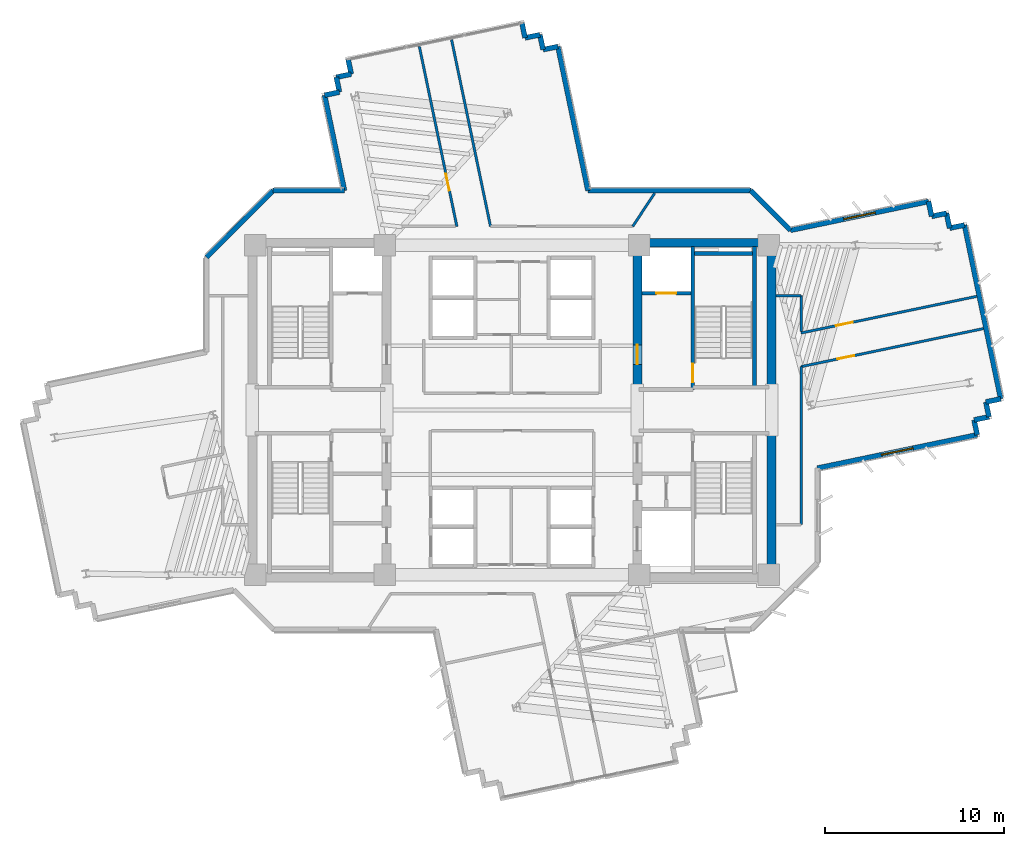
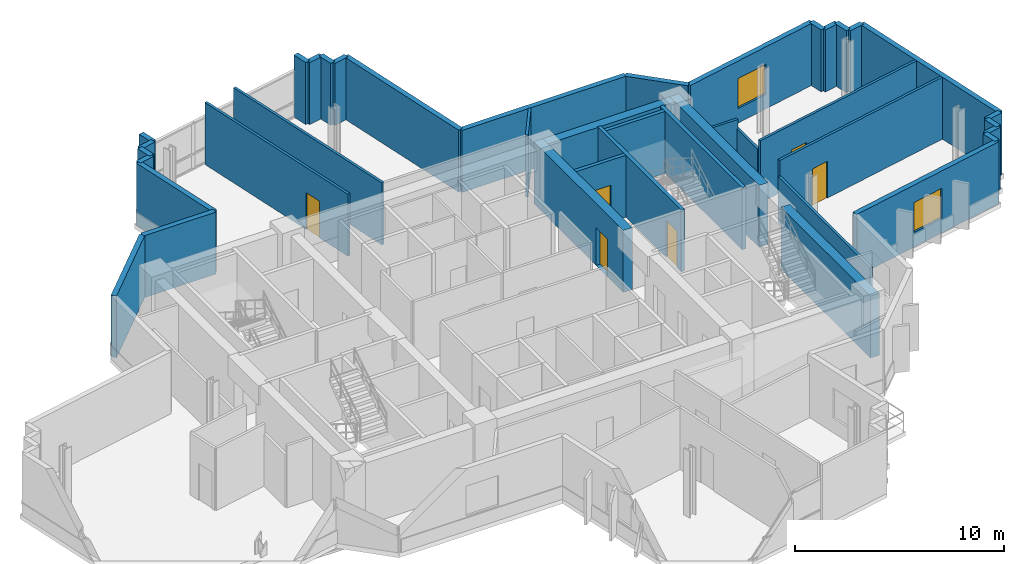
# One storey, part 10 of 14: 41 walls, 6 doors, 2 windows, 8 openings.
"""IFC4 building model written with IfcOpenShell, lengths in metres."""

from ifc_helpers import new_model, si_unit, direction, frame, frame_2d, origin, place, context, subcontext, project, spatial, rectangle, extrude, source, transform, mapped, material, layer, layer_set, type_object, element, fill, save


model = new_model("IFC4")

# Units and contexts
model_context = context("Model", 3, precision=1e-05, world=origin(), true_north=direction((0.0, 1.0)))
body_context = subcontext(model_context, "Body", "Model", "MODEL_VIEW")
ifc_project = project(units=[si_unit("LENGTHUNIT", "METRE"), si_unit("AREAUNIT", "SQUARE_METRE"), si_unit("VOLUMEUNIT", "CUBIC_METRE"), si_unit("PLANEANGLEUNIT", "RADIAN"), si_unit("MASSUNIT", "GRAM", prefix="KILO")], contexts=[model_context])

# Site, building, storey
site_placement = place(None, origin())
site = spatial("IfcSite", under=ifc_project, at=site_placement, CompositionType="ELEMENT")
building_placement = place(site_placement, origin())
building = spatial("IfcBuilding", under=site, at=building_placement, Name="Zahravan Cultural Tower", CompositionType="ELEMENT")
storey_placement = place(building_placement, frame((0.0, 0.0, 162.89990234375)))
storey = spatial("IfcBuildingStorey", under=building, at=storey_placement, Name="L37", CompositionType="ELEMENT", Elevation=162.89990234375)

# Wall, opening, door
ifc_material_1 = material(Name="Concrete C60/75", Category="concrete")
ifc_layer_1 = layer(ifc_material_1, 0.5)
ifc_layer_set_1 = layer_set([ifc_layer_1], Name="Concrete C60/75")
wall_type_1 = type_object("IfcWallType", Name="CW-SHEAR-500-C60", PredefinedType="SHEAR", material=ifc_layer_set_1)
wall_1_placement = place(storey_placement, frame((43.0, 28.050048828125, 0.0), z_axis=(0.0, 0.0, 1.0), x_axis=(0.0, 1.0, 0.0)))
wall_1 = element("IfcWall", 1, at=wall_1_placement, inside=storey, type_object=wall_type_1, Name="L37 Core Shear Wall CW-E-WN-L37", PredefinedType="SHEAR", context=body_context, shape_type="SweptSolid", body=[
    extrude(rectangle(XDim=8.550048828125, YDim=0.5, at=frame_2d((4.27490234375, 0.0))), origin(), (0.0, 0.0, 1.0), 3.6201171875),
])
opening_1_placement = place(wall_1_placement, frame((1.5, 0.0, 0.0)))
opening_1 = element("IfcOpeningElement", 2, at=opening_1_placement, cuts=wall_1, Name="Opening D-L37-06", PredefinedType="OPENING", context=body_context, shape_type="SweptSolid", body=[
    extrude(rectangle(XDim=1.10009765625, YDim=2.199951171875, at=frame_2d((0.550048828125, 1.10009765625))), frame((0.0, 0.260009765625, 0.0), z_axis=(0.0, -1.0, 0.0), x_axis=(1.0, 0.0, 0.0)), (0.0, 0.0, 1.0), 0.52001953125),
])
ifc_material_2 = material(Name="Steel ASTM A572 Grade 50", Category="steel")
door_type_1 = type_object("IfcDoorType", Name="DR-LOBBY-1100", OperationType="NOTDEFINED", PredefinedType="DOOR", material=ifc_material_2)
shared_shape_1 = source(origin(), body_context, "Body", "SweptSolid", [
    extrude(rectangle(XDim=1.10009765625, YDim=2.199951171875, at=frame_2d((0.550048828125, 1.10009765625))), frame((0.0, 0.02490234375, 0.0), z_axis=(0.0, -1.0, 0.0), x_axis=(1.0, 0.0, 0.0)), (0.0, 0.0, 1.0), 0.050048828125),
])
door_1_placement = place(opening_1_placement, origin())
door_1 = element("IfcDoor", 3, at=door_1_placement, inside=storey, type_object=door_type_1, Name="L37 Door D-L37-06", OperationType="SINGLE_SWING_RIGHT", OverallHeight=2.199951171875, OverallWidth=1.10009765625, PredefinedType="DOOR", context=body_context, shape_type="MappedRepresentation", body=[
    mapped(shared_shape_1, transform((0.0, 0.0, 0.0), x_axis=(1.0, 0.0, 0.0), y_axis=(0.0, 1.0, 0.0), z_axis=(0.0, 0.0, 1.0), scale=1.0)),
])
fill(opening_1, door_1)

# Wall, opening, window
ifc_material_3 = material(Name="Precast concrete C40/50", Category="concrete")
ifc_layer_2 = layer(ifc_material_3, 0.280029296875)
ifc_layer_set_2 = layer_set([ifc_layer_2], Name="Precast concrete C40/50")
wall_type_2 = type_object("IfcWallType", Name="EW-TC-280", PredefinedType="SOLIDWALL", material=ifc_layer_set_2)
wall_2_placement = place(storey_placement, frame((51.5546875, 37.047119140625, 0.0), z_axis=(0.0, 0.0, 1.0), x_axis=(0.978938136474, 0.204157108515, 0.0)))
wall_2 = element("IfcWall", 4, at=wall_2_placement, inside=storey, type_object=wall_type_2, Name="L37 Exterior Masonry Frame Wall 01", PredefinedType="SOLIDWALL", context=body_context, shape_type="SweptSolid", body=[
    extrude(rectangle(XDim=7.8818359375, YDim=0.280029296875, at=frame_2d((3.94091796875, 0.0))), origin(), (0.0, 0.0, 1.0), 3.6201171875),
])
opening_2_placement = place(wall_2_placement, frame((3.041015625, 0.0, 0.85009765625)))
opening_2 = element("IfcOpeningElement", 5, at=opening_2_placement, cuts=wall_2, Name="Opening WN-02", PredefinedType="OPENING", context=body_context, shape_type="SweptSolid", body=[
    extrude(rectangle(XDim=1.800048828125, YDim=1.75, at=frame_2d((0.89990234375, 0.875))), frame((0.0, 0.14990234375, 0.0), z_axis=(0.0, -1.0, 0.0), x_axis=(1.0, 0.0, 0.0)), (0.0, 0.0, 1.0), 0.300048828125),
])
ifc_material_4 = material(Name="Low-E solar-control double glazing", Category="glass")
window_type = type_object("IfcWindowType", Name="WN-REC-1800X1750", PartitioningType="DOUBLE_PANEL_VERTICAL", PredefinedType="WINDOW", material=ifc_material_4)
shared_shape_2 = source(origin(), body_context, "Body", "SweptSolid", [
    extrude(rectangle(XDim=1.800048828125, YDim=1.75, at=frame_2d((0.89990234375, 0.875))), frame((0.0, 0.030029296875, 0.0), z_axis=(0.0, -1.0, 0.0), x_axis=(1.0, 0.0, 0.0)), (0.0, 0.0, 1.0), 0.06005859375),
])
window_1_placement = place(opening_2_placement, origin())
window_1 = element("IfcWindow", 6, at=window_1_placement, inside=storey, type_object=window_type, Name="L37 Recessed Solar Window 01", OverallHeight=1.75, OverallWidth=1.800048828125, PartitioningType="DOUBLE_PANEL_VERTICAL", PredefinedType="WINDOW", context=body_context, shape_type="MappedRepresentation", body=[
    mapped(shared_shape_2, transform((0.0, 0.0, 0.0), x_axis=(1.0, 0.0, 0.0), y_axis=(0.0, 1.0, 0.0), z_axis=(0.0, 0.0, 1.0), scale=1.0)),
])
fill(opening_2, window_1)

wall_3_placement = place(storey_placement, frame((61.98974609375, 25.61669921875, 0.0), z_axis=(0.0, 0.0, 1.0), x_axis=(-0.978937646314, -0.204159458828, 0.0)))
wall_3 = element("IfcWall", 7, at=wall_3_placement, inside=storey, type_object=wall_type_2, Name="L37 Exterior Masonry Frame Wall 11", PredefinedType="SOLIDWALL", context=body_context, shape_type="SweptSolid", body=[
    extrude(rectangle(XDim=9.121826171875, YDim=0.280029296875, at=frame_2d((4.56103515625, 0.0))), origin(), (0.0, 0.0, 1.0), 3.6201171875),
])
opening_3_placement = place(wall_3_placement, frame((3.660888671875, 0.0, 0.85009765625)))
opening_3 = element("IfcOpeningElement", 8, at=opening_3_placement, cuts=wall_3, Name="Opening WN-02", PredefinedType="OPENING", context=body_context, shape_type="SweptSolid", body=[
    extrude(rectangle(XDim=1.800048828125, YDim=1.75, at=frame_2d((0.89990234375, 0.875))), frame((0.0, 0.14990234375, 0.0), z_axis=(0.0, -1.0, 0.0), x_axis=(1.0, 0.0, 0.0)), (0.0, 0.0, 1.0), 0.300048828125),
])
window_2_placement = place(opening_3_placement, origin())
window_2 = element("IfcWindow", 9, at=window_2_placement, inside=storey, type_object=window_type, Name="L37 Recessed Solar Window 02", OverallHeight=1.75, OverallWidth=1.800048828125, PartitioningType="DOUBLE_PANEL_VERTICAL", PredefinedType="WINDOW", context=body_context, shape_type="MappedRepresentation", body=[
    mapped(shared_shape_2, transform((0.0, 0.0, 0.0), x_axis=(1.0, 0.0, 0.0), y_axis=(0.0, 1.0, 0.0), z_axis=(0.0, 0.0, 1.0), scale=1.0)),
])
fill(opening_3, window_2)

# Wall, opening, door
ifc_material_5 = material(Name="Gypsum plasterboard partition")
ifc_layer_3 = layer(ifc_material_5, 0.139892578125)
ifc_layer_set_3 = layer_set([ifc_layer_3], Name="Gypsum plasterboard partition")
wall_type_3 = type_object("IfcWallType", Name="W-PART-140", PredefinedType="PARTITIONING", material=ifc_layer_set_3)
wall_4_placement = place(storey_placement, frame((30.823486328125, 47.316162109375, 0.0), z_axis=(0.0, 0.0, 1.0), x_axis=(0.204130779611, -0.978943626985, 0.0)))
wall_4 = element("IfcWall", 10, at=wall_4_placement, inside=storey, type_object=wall_type_3, Name="L37 Interior Wall 091", PredefinedType="PARTITIONING", context=body_context, shape_type="SweptSolid", body=[
    extrude(rectangle(XDim=10.2724609375, YDim=0.139892578125, at=frame_2d((5.13623046875, 0.0))), origin(), (0.0, 0.0, 1.0), 3.6201171875),
])
opening_4_placement = place(wall_4_placement, frame((7.271484375, 0.0, 0.0)))
opening_4 = element("IfcOpeningElement", 11, at=opening_4_placement, cuts=wall_4, Name="Opening D-L37-23", PredefinedType="OPENING", context=body_context, shape_type="SweptSolid", body=[
    extrude(rectangle(XDim=0.949951171875, YDim=2.14990234375, at=frame_2d((0.47509765625, 1.074951171875))), frame((0.0, 0.079833984375, 0.0), z_axis=(0.0, -1.0, 0.0), x_axis=(1.0, 0.0, 0.0)), (0.0, 0.0, 1.0), 0.159912109375),
])
ifc_material_6 = material(Name="Anodised bronze-aluminium mullion", Category="aluminium")
door_type_2 = type_object("IfcDoorType", Name="DR-ROOM-950", OperationType="NOTDEFINED", PredefinedType="DOOR", material=ifc_material_6)
shared_shape_3 = source(origin(), body_context, "Body", "SweptSolid", [
    extrude(rectangle(XDim=0.949951171875, YDim=2.14990234375, at=frame_2d((0.47509765625, 1.074951171875))), frame((0.0, 0.02490234375, 0.0), z_axis=(0.0, -1.0, 0.0), x_axis=(1.0, 0.0, 0.0)), (0.0, 0.0, 1.0), 0.050048828125),
])
door_2_placement = place(opening_4_placement, origin())
door_2 = element("IfcDoor", 12, at=door_2_placement, inside=storey, type_object=door_type_2, Name="L37 Door D-L37-23", OperationType="SINGLE_SWING_LEFT", OverallHeight=2.14990234375, OverallWidth=0.949951171875, PredefinedType="DOOR", context=body_context, shape_type="MappedRepresentation", body=[
    mapped(shared_shape_3, transform((0.0, 0.0, 0.0), x_axis=(1.0, 0.0, 0.0), y_axis=(0.0, 1.0, 0.0), z_axis=(0.0, 0.0, 1.0), scale=1.0)),
])
fill(opening_4, door_2)

wall_5_placement = place(storey_placement, frame((52.150146484375, 29.42822265625, 0.0), z_axis=(0.0, 0.0, 1.0), x_axis=(0.978935516763, 0.204169669688, 0.0)))
wall_5 = element("IfcWall", 13, at=wall_5_placement, inside=storey, type_object=wall_type_3, Name="L37 Interior Wall 095", PredefinedType="PARTITIONING", context=body_context, shape_type="SweptSolid", body=[
    extrude(rectangle(XDim=10.4091796875, YDim=0.139892578125, at=frame_2d((5.20458984375, 0.0))), origin(), (0.0, 0.0, 1.0), 3.6201171875),
])
opening_5_placement = place(wall_5_placement, frame((2.0810546875, 0.0, 0.0)))
opening_5 = element("IfcOpeningElement", 14, at=opening_5_placement, cuts=wall_5, Name="Opening D-L37-20", PredefinedType="OPENING", context=body_context, shape_type="SweptSolid", body=[
    extrude(rectangle(XDim=0.949951171875, YDim=2.14990234375, at=frame_2d((0.47509765625, 1.074951171875))), frame((0.0, 0.079833984375, 0.0), z_axis=(0.0, -1.0, 0.0), x_axis=(1.0, 0.0, 0.0)), (0.0, 0.0, 1.0), 0.159912109375),
])
door_3_placement = place(opening_5_placement, origin())
door_3 = element("IfcDoor", 15, at=door_3_placement, inside=storey, type_object=door_type_2, Name="L37 Door D-L37-20", OperationType="SINGLE_SWING_RIGHT", OverallHeight=2.14990234375, OverallWidth=0.949951171875, PredefinedType="DOOR", context=body_context, shape_type="MappedRepresentation", body=[
    mapped(shared_shape_3, transform((0.0, 0.0, 0.0), x_axis=(1.0, 0.0, 0.0), y_axis=(0.0, 1.0, 0.0), z_axis=(0.0, 0.0, 1.0), scale=1.0)),
])
fill(opening_5, door_3)

wall_6_placement = place(storey_placement, frame((61.964599609375, 33.3544921875, 0.0), z_axis=(0.0, 0.0, 1.0), x_axis=(-0.978942518705, -0.204136094483, 0.0)))
wall_6 = element("IfcWall", 16, at=wall_6_placement, inside=storey, type_object=wall_type_3, Name="L37 Interior Wall 097", PredefinedType="PARTITIONING", context=body_context, shape_type="SweptSolid", body=[
    extrude(rectangle(XDim=10.02587890625, YDim=0.139892578125, at=frame_2d((5.012939453125, 0.0))), origin(), (0.0, 0.0, 1.0), 3.6201171875),
])
opening_6_placement = place(wall_6_placement, frame((7.0791015625, 0.0, 0.0)))
opening_6 = element("IfcOpeningElement", 17, at=opening_6_placement, cuts=wall_6, Name="Opening D-L37-21", PredefinedType="OPENING", context=body_context, shape_type="SweptSolid", body=[
    extrude(rectangle(XDim=0.949951171875, YDim=2.14990234375, at=frame_2d((0.47509765625, 1.074951171875))), frame((0.0, 0.079833984375, 0.0), z_axis=(0.0, -1.0, 0.0), x_axis=(1.0, 0.0, 0.0)), (0.0, 0.0, 1.0), 0.159912109375),
])
door_4_placement = place(opening_6_placement, origin())
door_4 = element("IfcDoor", 18, at=door_4_placement, inside=storey, type_object=door_type_2, Name="L37 Door D-L37-21", OperationType="SINGLE_SWING_LEFT", OverallHeight=2.14990234375, OverallWidth=0.949951171875, PredefinedType="DOOR", context=body_context, shape_type="MappedRepresentation", body=[
    mapped(shared_shape_3, transform((0.0, 0.0, 0.0), x_axis=(1.0, 0.0, 0.0), y_axis=(0.0, 1.0, 0.0), z_axis=(0.0, 0.0, 1.0), scale=1.0)),
])
fill(opening_6, door_4)

ifc_material_7 = material(Name="Concrete C45/55", Category="concrete")
ifc_layer_4 = layer(ifc_material_7, 0.199951171875)
ifc_layer_set_4 = layer_set([ifc_layer_4], Name="Concrete C45/55")
wall_type_4 = type_object("IfcWallType", Name="W-SHAFT-200", PredefinedType="SOLIDWALL", material=ifc_layer_set_4)
wall_7_placement = place(storey_placement, frame((46.10009765625, 28.14990234375, 0.0), z_axis=(0.0, 0.0, 1.0), x_axis=(0.0, 1.0, 0.0)))
wall_7 = element("IfcWall", 19, at=wall_7_placement, inside=storey, type_object=wall_type_4, Name="L37 Interior Wall 008", PredefinedType="SOLIDWALL", context=body_context, shape_type="SweptSolid", body=[
    extrude(rectangle(XDim=8.0, YDim=0.199951171875, at=frame_2d((4.0, 0.0))), origin(), (0.0, 0.0, 1.0), 3.6201171875),
])
opening_7_placement = place(wall_7_placement, frame((0.39990234375, 0.0, 0.0)))
opening_7 = element("IfcOpeningElement", 20, at=opening_7_placement, cuts=wall_7, Name="Opening D-L37-02", PredefinedType="OPENING", context=body_context, shape_type="SweptSolid", body=[
    extrude(rectangle(XDim=1.050048828125, YDim=2.14990234375, at=frame_2d((0.52490234375, 1.074951171875))), frame((0.0, 0.10986328125, 0.0), z_axis=(0.0, -1.0, 0.0), x_axis=(1.0, 0.0, 0.0)), (0.0, 0.0, 1.0), 0.219970703125),
])
door_type_3 = type_object("IfcDoorType", Name="DR-STAIR-1050", OperationType="NOTDEFINED", PredefinedType="DOOR", material=ifc_material_2)
shared_shape_4 = source(origin(), body_context, "Body", "SweptSolid", [
    extrude(rectangle(XDim=1.050048828125, YDim=2.14990234375, at=frame_2d((0.52490234375, 1.074951171875))), frame((0.0, 0.02490234375, 0.0), z_axis=(0.0, -1.0, 0.0), x_axis=(1.0, 0.0, 0.0)), (0.0, 0.0, 1.0), 0.050048828125),
])
door_5_placement = place(opening_7_placement, origin())
door_5 = element("IfcDoor", 21, at=door_5_placement, inside=storey, type_object=door_type_3, Name="L37 Door D-L37-02", OperationType="SINGLE_SWING_RIGHT", OverallHeight=2.14990234375, OverallWidth=1.050048828125, PredefinedType="DOOR", context=body_context, shape_type="MappedRepresentation", body=[
    mapped(shared_shape_4, transform((0.0, 0.0, 0.0), x_axis=(1.0, 0.0, 0.0), y_axis=(0.0, 1.0, 0.0), z_axis=(0.0, 0.0, 1.0), scale=1.0)),
])
fill(opening_7, door_5)

wall_8_placement = place(storey_placement, frame((43.25, 33.52001953125, 0.0), z_axis=(0.0, 0.0, 1.0), x_axis=(1.0, 0.0, 0.0)))
wall_8 = element("IfcWall", 22, at=wall_8_placement, inside=storey, type_object=wall_type_4, Name="L37 Interior Wall 022", PredefinedType="SOLIDWALL", context=body_context, shape_type="SweptSolid", body=[
    extrude(rectangle(XDim=2.75, YDim=0.199951171875, at=frame_2d((1.375, 0.0))), origin(), (0.0, 0.0, 1.0), 3.6201171875),
])
opening_8_placement = place(wall_8_placement, frame((0.820068359375, 0.0, 0.0)))
opening_8 = element("IfcOpeningElement", 23, at=opening_8_placement, cuts=wall_8, Name="Opening LD-L37-02", PredefinedType="OPENING", context=body_context, shape_type="SweptSolid", body=[
    extrude(rectangle(XDim=1.10009765625, YDim=2.14990234375, at=frame_2d((0.550048828125, 1.074951171875))), frame((0.0, 0.10986328125, 0.0), z_axis=(0.0, -1.0, 0.0), x_axis=(1.0, 0.0, 0.0)), (0.0, 0.0, 1.0), 0.219970703125),
])
door_type_4 = type_object("IfcDoorType", Name="DR-LIFT-1100", OperationType="DOUBLE_DOOR_SLIDING", PredefinedType="DOOR", material=ifc_material_2)
shared_shape_5 = source(origin(), body_context, "Body", "SweptSolid", [
    extrude(rectangle(XDim=1.10009765625, YDim=2.14990234375, at=frame_2d((0.550048828125, 1.074951171875))), frame((0.0, 0.02490234375, 0.0), z_axis=(0.0, -1.0, 0.0), x_axis=(1.0, 0.0, 0.0)), (0.0, 0.0, 1.0), 0.050048828125),
])
door_6_placement = place(opening_8_placement, origin())
door_6 = element("IfcDoor", 24, at=door_6_placement, inside=storey, type_object=door_type_4, Name="L37 Door LD-L37-02", OperationType="DOUBLE_DOOR_SLIDING", OverallHeight=2.14990234375, OverallWidth=1.10009765625, PredefinedType="DOOR", context=body_context, shape_type="MappedRepresentation", body=[
    mapped(shared_shape_5, transform((0.0, 0.0, 0.0), x_axis=(1.0, 0.0, 0.0), y_axis=(0.0, 1.0, 0.0), z_axis=(0.0, 0.0, 1.0), scale=1.0)),
])
fill(opening_8, door_6)

# Walls
shared_shape_6 = source(origin(), body_context, "Body", "SweptSolid", [
    extrude(rectangle(XDim=8.550048828125, YDim=0.5, at=frame_2d((4.27490234375, 0.0))), origin(), (0.0, 0.0, 1.0), 3.6201171875),
])
for number, where, z_axis, x_axis, name in (
    (25, (50.5, 17.39990234375, 0.0), (0.0, 0.0, 1.0), (0.0, 1.0, 0.0), "L37 Core Shear Wall CW-E-ES-L37"),
    (26, (50.5, 28.050048828125, 0.0), (0.0, 0.0, 1.0), (0.0, 1.0, 0.0), "L37 Core Shear Wall CW-E-EN-L37"),
):
    element("IfcWall", number, at=place(storey_placement, frame(where, z_axis=z_axis, x_axis=x_axis)), inside=storey, type_object=wall_type_1, Name=name, PredefinedType="SHEAR", context=body_context, shape_type="MappedRepresentation", body=[
        mapped(shared_shape_6, transform((0.0, 0.0, 0.0), x_axis=(1.0, 0.0, 0.0), y_axis=(0.0, 1.0, 0.0), z_axis=(0.0, 0.0, 1.0), scale=1.0)),
    ])
shared_shape_7 = source(origin(), body_context, "Body", "SweptSolid", [
    extrude(rectangle(XDim=7.0, YDim=0.5, at=frame_2d((3.5, 0.0))), origin(), (0.0, 0.0, 1.0), 3.6201171875),
])
wall_9_placement = place(storey_placement, frame((43.25, 36.35009765625, 0.0), z_axis=(0.0, 0.0, 1.0), x_axis=(1.0, 0.0, 0.0)))
element("IfcWall", 27, at=wall_9_placement, inside=storey, type_object=wall_type_1, Name="L37 Core Shear Wall CW-E-N-L37", PredefinedType="SHEAR", context=body_context, shape_type="MappedRepresentation", body=[
    mapped(shared_shape_7, transform((0.0, 0.0, 0.0), x_axis=(1.0, 0.0, 0.0), y_axis=(0.0, 1.0, 0.0), z_axis=(0.0, 0.0, 1.0), scale=1.0)),
])
shared_shape_8 = source(origin(), body_context, "Body", "SweptSolid", [
    extrude(rectangle(XDim=0.85009765625, YDim=0.280029296875, at=frame_2d((0.425048828125, 0.0))), origin(), (0.0, 0.0, 1.0), 3.6201171875),
])
for number, where, z_axis, x_axis, name in (
    (28, (61.81640625, 26.448974609375, 0.0), (0.0, 0.0, 1.0), (0.203896913579, -0.97899236393, 0.0), "L37 Exterior Masonry Frame Wall 10"),
    (29, (26.186279296875, 45.59814453125, 0.0), (0.0, 0.0, 1.0), (0.97893500384, 0.204172128991, 0.0), "L37 Exterior Masonry Frame Wall 44"),
    (30, (37.735107421875, 47.138427734375, 0.0), (0.0, 0.0, 1.0), (0.97893500384, 0.204172128991, 0.0), "L37 Exterior Masonry Frame Wall 49"),
):
    element("IfcWall", number, at=place(storey_placement, frame(where, z_axis=z_axis, x_axis=x_axis)), inside=storey, type_object=wall_type_2, Name=name, PredefinedType="SOLIDWALL", context=body_context, shape_type="MappedRepresentation", body=[
        mapped(shared_shape_8, transform((0.0, 0.0, 0.0), x_axis=(1.0, 0.0, 0.0), y_axis=(0.0, 1.0, 0.0), z_axis=(0.0, 0.0, 1.0), scale=1.0)),
    ])
shared_shape_9 = source(origin(), body_context, "Body", "SweptSolid", [
    extrude(rectangle(XDim=5.258056640625, YDim=0.280029296875, at=frame_2d((2.62890625, 0.0))), origin(), (0.0, 0.0, 1.0), 3.6201171875),
])
wall_10_placement = place(storey_placement, frame((18.93994140625, 35.5419921875, 0.0), z_axis=(0.0, 0.0, 1.0), x_axis=(0.707106781187, 0.707106781187, 0.0)))
element("IfcWall", 31, at=wall_10_placement, inside=storey, type_object=wall_type_2, Name="L37 Exterior Masonry Frame Wall 39", PredefinedType="SOLIDWALL", context=body_context, shape_type="MappedRepresentation", body=[
    mapped(shared_shape_9, transform((0.0, 0.0, 0.0), x_axis=(1.0, 0.0, 0.0), y_axis=(0.0, 1.0, 0.0), z_axis=(0.0, 0.0, 1.0), scale=1.0)),
])
shared_shape_10 = source(origin(), body_context, "Body", "SweptSolid", [
    extrude(rectangle(XDim=0.849853515625, YDim=0.280029296875, at=frame_2d((0.4248046875, 0.0))), origin(), (0.0, 0.0, 1.0), 3.6201171875),
])
for number, where, z_axis, x_axis, name in (
    (32, (59.2705078125, 38.65625, 0.0), (0.0, 0.0, 1.0), (0.203954254112, -0.978980419738, 0.0), "L37 Exterior Masonry Frame Wall 02"),
    (33, (59.44384765625, 37.82421875, 0.0), (0.0, 0.0, 1.0), (0.978923028084, 0.20422954019, 0.0), "L37 Exterior Masonry Frame Wall 03"),
    (34, (60.44970703125, 37.16552734375, 0.0), (0.0, 0.0, 1.0), (0.978923028084, 0.20422954019, 0.0), "L37 Exterior Masonry Frame Wall 05"),
    (35, (63.306884765625, 27.628173828125, 0.0), (0.0, 0.0, 1.0), (-0.978923028084, -0.20422954019, 0.0), "L37 Exterior Masonry Frame Wall 07"),
    (36, (62.474853515625, 27.45458984375, 0.0), (0.0, 0.0, 1.0), (0.20422954019, -0.978923028084, 0.0), "L37 Exterior Masonry Frame Wall 08"),
    (37, (62.6484375, 26.62255859375, 0.0), (0.0, 0.0, 1.0), (-0.978923028084, -0.20422954019, 0.0), "L37 Exterior Masonry Frame Wall 09"),
    (38, (25.52783203125, 44.592529296875, 0.0), (0.0, 0.0, 1.0), (0.978923028084, 0.20422954019, 0.0), "L37 Exterior Masonry Frame Wall 42"),
    (39, (26.35986328125, 44.76611328125, 0.0), (0.0, 0.0, 1.0), (-0.20422954019, 0.978923028084, 0.0), "L37 Exterior Masonry Frame Wall 43"),
    (40, (27.0185546875, 45.771728515625, 0.0), (0.0, 0.0, 1.0), (-0.20422954019, 0.978923028084, 0.0), "L37 Exterior Masonry Frame Wall 45"),
    (41, (36.555908203125, 48.629150390625, 0.0), (0.0, 0.0, 1.0), (0.20422954019, -0.978923028084, 0.0), "L37 Exterior Masonry Frame Wall 46"),
    (42, (36.7294921875, 47.797119140625, 0.0), (0.0, 0.0, 1.0), (0.978980419738, 0.203954254112, 0.0), "L37 Exterior Masonry Frame Wall 47"),
    (43, (37.5615234375, 47.970458984375, 0.0), (0.0, 0.0, 1.0), (0.20422954019, -0.978923028084, 0.0), "L37 Exterior Masonry Frame Wall 48"),
):
    element("IfcWall", number, at=place(storey_placement, frame(where, z_axis=z_axis, x_axis=x_axis)), inside=storey, type_object=wall_type_2, Name=name, PredefinedType="SOLIDWALL", context=body_context, shape_type="MappedRepresentation", body=[
        mapped(shared_shape_10, transform((0.0, 0.0, 0.0), x_axis=(1.0, 0.0, 0.0), y_axis=(0.0, 1.0, 0.0), z_axis=(0.0, 0.0, 1.0), scale=1.0)),
    ])
shared_shape_11 = source(origin(), body_context, "Body", "SweptSolid", [
    extrude(rectangle(XDim=9.919921875, YDim=0.280029296875, at=frame_2d((4.9599609375, 0.0))), origin(), (0.0, 0.0, 1.0), 3.6201171875),
])
wall_11_placement = place(storey_placement, frame((61.28173828125, 37.339111328125, 0.0), z_axis=(0.0, 0.0, 1.0), x_axis=(0.204150812873, -0.978939449406, 0.0)))
element("IfcWall", 44, at=wall_11_placement, inside=storey, type_object=wall_type_2, Name="L37 Exterior Masonry Frame Wall 06", PredefinedType="SOLIDWALL", context=body_context, shape_type="MappedRepresentation", body=[
    mapped(shared_shape_11, transform((0.0, 0.0, 0.0), x_axis=(1.0, 0.0, 0.0), y_axis=(0.0, 1.0, 0.0), z_axis=(0.0, 0.0, 1.0), scale=1.0)),
])
shared_shape_12 = source(origin(), body_context, "Body", "SweptSolid", [
    extrude(rectangle(XDim=0.850341796875, YDim=0.280029296875, at=frame_2d((0.42529296875, 0.0))), origin(), (0.0, 0.0, 1.0), 3.6201171875),
])
wall_12_placement = place(storey_placement, frame((60.27587890625, 37.997802734375, 0.0), z_axis=(0.0, 0.0, 1.0), x_axis=(0.204447295999, -0.978877573121, 0.0)))
element("IfcWall", 45, at=wall_12_placement, inside=storey, type_object=wall_type_2, Name="L37 Exterior Masonry Frame Wall 04", PredefinedType="SOLIDWALL", context=body_context, shape_type="MappedRepresentation", body=[
    mapped(shared_shape_12, transform((0.0, 0.0, 0.0), x_axis=(1.0, 0.0, 0.0), y_axis=(0.0, 1.0, 0.0), z_axis=(0.0, 0.0, 1.0), scale=1.0)),
])
shared_shape_13 = source(origin(), body_context, "Body", "SweptSolid", [
    extrude(rectangle(XDim=3.12939453125, YDim=0.280029296875, at=frame_2d((1.564697265625, 0.0))), origin(), (0.0, 0.0, 1.0), 3.6201171875),
])
wall_13_placement = place(storey_placement, frame((49.342041015625, 39.260009765625, 0.0), z_axis=(0.0, 0.0, 1.0), x_axis=(0.707067771627, -0.707145788594, 0.0)))
element("IfcWall", 46, at=wall_13_placement, inside=storey, type_object=wall_type_2, Name="L37 Exterior Masonry Frame Wall 52", PredefinedType="SOLIDWALL", context=body_context, shape_type="MappedRepresentation", body=[
    mapped(shared_shape_13, transform((0.0, 0.0, 0.0), x_axis=(1.0, 0.0, 0.0), y_axis=(0.0, 1.0, 0.0), z_axis=(0.0, 0.0, 1.0), scale=1.0)),
])
shared_shape_14 = source(origin(), body_context, "Body", "SweptSolid", [
    extrude(rectangle(XDim=3.98193359375, YDim=0.280029296875, at=frame_2d((1.990966796875, 0.0))), origin(), (0.0, 0.0, 1.0), 3.6201171875),
])
wall_14_placement = place(storey_placement, frame((22.657958984375, 39.260009765625, 0.0), z_axis=(0.0, 0.0, 1.0), x_axis=(1.0, 0.0, 0.0)))
element("IfcWall", 47, at=wall_14_placement, inside=storey, type_object=wall_type_2, Name="L37 Exterior Masonry Frame Wall 40", PredefinedType="SOLIDWALL", context=body_context, shape_type="MappedRepresentation", body=[
    mapped(shared_shape_14, transform((0.0, 0.0, 0.0), x_axis=(1.0, 0.0, 0.0), y_axis=(0.0, 1.0, 0.0), z_axis=(0.0, 0.0, 1.0), scale=1.0)),
])
shared_shape_15 = source(origin(), body_context, "Body", "SweptSolid", [
    extrude(rectangle(XDim=5.447265625, YDim=0.280029296875, at=frame_2d((2.7236328125, 0.0))), origin(), (0.0, 0.0, 1.0), 3.6201171875),
])
wall_15_placement = place(storey_placement, frame((26.639892578125, 39.260009765625, 0.0), z_axis=(0.0, 0.0, 1.0), x_axis=(-0.204151126022, 0.978939384101, 0.0)))
element("IfcWall", 48, at=wall_15_placement, inside=storey, type_object=wall_type_2, Name="L37 Exterior Masonry Frame Wall 41", PredefinedType="SOLIDWALL", context=body_context, shape_type="MappedRepresentation", body=[
    mapped(shared_shape_15, transform((0.0, 0.0, 0.0), x_axis=(1.0, 0.0, 0.0), y_axis=(0.0, 1.0, 0.0), z_axis=(0.0, 0.0, 1.0), scale=1.0)),
])
shared_shape_16 = source(origin(), body_context, "Body", "SweptSolid", [
    extrude(rectangle(XDim=8.225341796875, YDim=0.280029296875, at=frame_2d((4.11279296875, 0.0))), origin(), (0.0, 0.0, 1.0), 3.6201171875),
])
wall_16_placement = place(storey_placement, frame((38.5673828125, 47.31201171875, 0.0), z_axis=(0.0, 0.0, 1.0), x_axis=(0.204152195211, -0.978939161128, 0.0)))
element("IfcWall", 49, at=wall_16_placement, inside=storey, type_object=wall_type_2, Name="L37 Exterior Masonry Frame Wall 50", PredefinedType="SOLIDWALL", context=body_context, shape_type="MappedRepresentation", body=[
    mapped(shared_shape_16, transform((0.0, 0.0, 0.0), x_axis=(1.0, 0.0, 0.0), y_axis=(0.0, 1.0, 0.0), z_axis=(0.0, 0.0, 1.0), scale=1.0)),
])
shared_shape_17 = source(origin(), body_context, "Body", "SweptSolid", [
    extrude(rectangle(XDim=9.095458984375, YDim=0.280029296875, at=frame_2d((4.5478515625, 0.0))), origin(), (0.0, 0.0, 1.0), 3.6201171875),
])
wall_17_placement = place(storey_placement, frame((40.24658203125, 39.260009765625, 0.0), z_axis=(0.0, 0.0, 1.0), x_axis=(1.0, 0.0, 0.0)))
element("IfcWall", 50, at=wall_17_placement, inside=storey, type_object=wall_type_2, Name="L37 Exterior Masonry Frame Wall 51", PredefinedType="SOLIDWALL", context=body_context, shape_type="MappedRepresentation", body=[
    mapped(shared_shape_17, transform((0.0, 0.0, 0.0), x_axis=(1.0, 0.0, 0.0), y_axis=(0.0, 1.0, 0.0), z_axis=(0.0, 0.0, 1.0), scale=1.0)),
])
shared_shape_18 = source(origin(), body_context, "Body", "SweptSolid", [
    extrude(rectangle(XDim=7.869873046875, YDim=0.199951171875, at=frame_2d((3.93505859375, 0.0))), origin(), (0.0, 0.0, 1.0), 3.6201171875),
])
wall_18_placement = place(storey_placement, frame((49.550048828125, 28.280029296875, 0.0), z_axis=(0.0, 0.0, 1.0), x_axis=(0.0, 1.0, 0.0)))
element("IfcWall", 51, at=wall_18_placement, inside=storey, type_object=wall_type_4, Name="L37 Interior Wall 004", PredefinedType="SOLIDWALL", context=body_context, shape_type="MappedRepresentation", body=[
    mapped(shared_shape_18, transform((0.0, 0.0, 0.0), x_axis=(1.0, 0.0, 0.0), y_axis=(0.0, 1.0, 0.0), z_axis=(0.0, 0.0, 1.0), scale=1.0)),
])
shared_shape_19 = source(origin(), body_context, "Body", "SweptSolid", [
    extrude(rectangle(XDim=3.25, YDim=0.199951171875, at=frame_2d((1.625, 0.0))), origin(), (0.0, 0.0, 1.0), 3.6201171875),
])
wall_19_placement = place(storey_placement, frame((46.199951171875, 35.75, 0.0), z_axis=(0.0, 0.0, 1.0), x_axis=(1.0, 0.0, 0.0)))
element("IfcWall", 52, at=wall_19_placement, inside=storey, type_object=wall_type_4, Name="L37 Interior Wall 018", PredefinedType="SOLIDWALL", context=body_context, shape_type="MappedRepresentation", body=[
    mapped(shared_shape_19, transform((0.0, 0.0, 0.0), x_axis=(1.0, 0.0, 0.0), y_axis=(0.0, 1.0, 0.0), z_axis=(0.0, 0.0, 1.0), scale=1.0)),
])
shared_shape_20 = source(origin(), body_context, "Body", "SweptSolid", [
    extrude(rectangle(XDim=1.39404296875, YDim=0.139892578125, at=frame_2d((0.697021484375, 0.0))), origin(), (0.0, 0.0, 1.0), 3.6201171875),
])
wall_20_placement = place(storey_placement, frame((52.14892578125, 33.39892578125, 0.0), z_axis=(0.0, 0.0, 1.0), x_axis=(-0.999999754632, 0.000700525222, 0.0)))
element("IfcWall", 53, at=wall_20_placement, inside=storey, type_object=wall_type_3, Name="L37 Interior Wall 096", PredefinedType="PARTITIONING", context=body_context, shape_type="MappedRepresentation", body=[
    mapped(shared_shape_20, transform((0.0, 0.0, 0.0), x_axis=(1.0, 0.0, 0.0), y_axis=(0.0, 1.0, 0.0), z_axis=(0.0, 0.0, 1.0), scale=1.0)),
])
shared_shape_21 = source(origin(), body_context, "Body", "SweptSolid", [
    extrude(rectangle(XDim=10.656005859375, YDim=0.139892578125, at=frame_2d((5.328125, 0.0))), origin(), (0.0, 0.0, 1.0), 3.6201171875),
])
wall_21_placement = place(storey_placement, frame((34.800048828125, 37.260009765625, 0.0), z_axis=(0.0, 0.0, 1.0), x_axis=(-0.204159189901, 0.978937702399, 0.0)))
element("IfcWall", 54, at=wall_21_placement, inside=storey, type_object=wall_type_3, Name="L37 Interior Wall 089", PredefinedType="PARTITIONING", context=body_context, shape_type="MappedRepresentation", body=[
    mapped(shared_shape_21, transform((0.0, 0.0, 0.0), x_axis=(1.0, 0.0, 0.0), y_axis=(0.0, 1.0, 0.0), z_axis=(0.0, 0.0, 1.0), scale=1.0)),
])
shared_shape_22 = source(origin(), body_context, "Body", "SweptSolid", [
    extrude(rectangle(XDim=2.22412109375, YDim=0.139892578125, at=frame_2d((1.112060546875, 0.0))), origin(), (0.0, 0.0, 1.0), 3.6201171875),
])
wall_22_placement = place(storey_placement, frame((43.969482421875, 39.114990234375, 0.0), z_axis=(0.0, 0.0, 1.0), x_axis=(-0.551783828078, -0.833987174405, 0.0)))
element("IfcWall", 55, at=wall_22_placement, inside=storey, type_object=wall_type_3, Name="L37 Interior Wall 090", PredefinedType="PARTITIONING", context=body_context, shape_type="MappedRepresentation", body=[
    mapped(shared_shape_22, transform((0.0, 0.0, 0.0), x_axis=(1.0, 0.0, 0.0), y_axis=(0.0, 1.0, 0.0), z_axis=(0.0, 0.0, 1.0), scale=1.0)),
])
shared_shape_23 = source(origin(), body_context, "Body", "SweptSolid", [
    extrude(rectangle(XDim=8.820556640625, YDim=0.139892578125, at=frame_2d((4.41015625, 0.0))), origin(), (0.0, 0.0, 1.0), 2.693115234375),
])
wall_23_placement = place(storey_placement, frame((52.149658203125, 20.607666015625, 0.0), z_axis=(0.0, 0.0, 1.0), x_axis=(2.7678596e-05, 0.999999999617, 0.0)))
element("IfcWall", 56, at=wall_23_placement, inside=storey, type_object=wall_type_3, Name="L37 Interior Wall 094", PredefinedType="PARTITIONING", context=body_context, shape_type="MappedRepresentation", body=[
    mapped(shared_shape_23, transform((0.0, 0.0, 0.0), x_axis=(1.0, 0.0, 0.0), y_axis=(0.0, 1.0, 0.0), z_axis=(0.0, 0.0, 1.0), scale=1.0)),
])
shared_shape_24 = source(origin(), body_context, "Body", "SweptSolid", [
    extrude(rectangle(XDim=2.014404296875, YDim=0.139892578125, at=frame_2d((1.00732421875, 0.0))), origin(), (0.0, 0.0, 1.0), 3.0791015625),
])
wall_24_placement = place(storey_placement, frame((52.14990234375, 31.384521484375, 0.0), z_axis=(0.0, 0.0, 1.0), x_axis=(-0.000484789665, 0.999999882489, 0.0)))
element("IfcWall", 57, at=wall_24_placement, inside=storey, type_object=wall_type_3, Name="L37 Interior Wall 098", PredefinedType="PARTITIONING", context=body_context, shape_type="MappedRepresentation", body=[
    mapped(shared_shape_24, transform((0.0, 0.0, 0.0), x_axis=(1.0, 0.0, 0.0), y_axis=(0.0, 1.0, 0.0), z_axis=(0.0, 0.0, 1.0), scale=1.0)),
])

save(model, "model.ifc")
